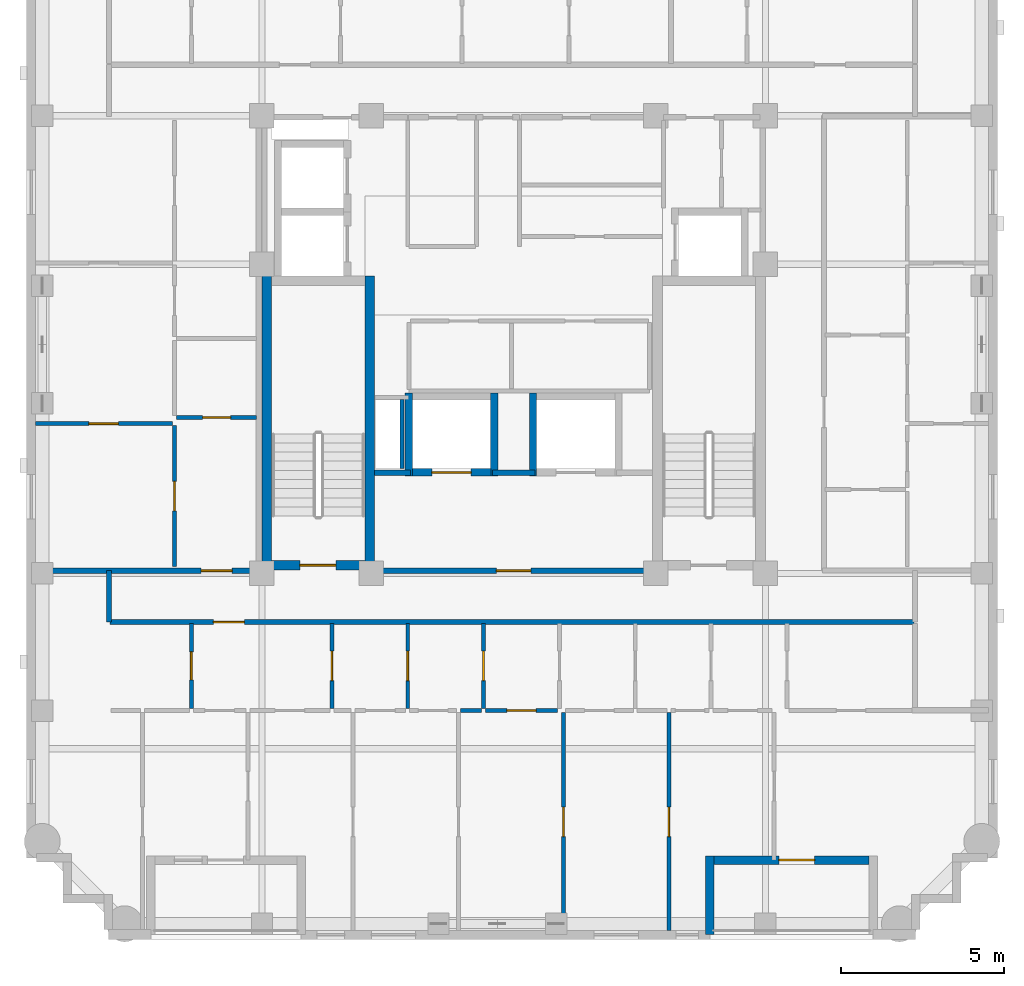
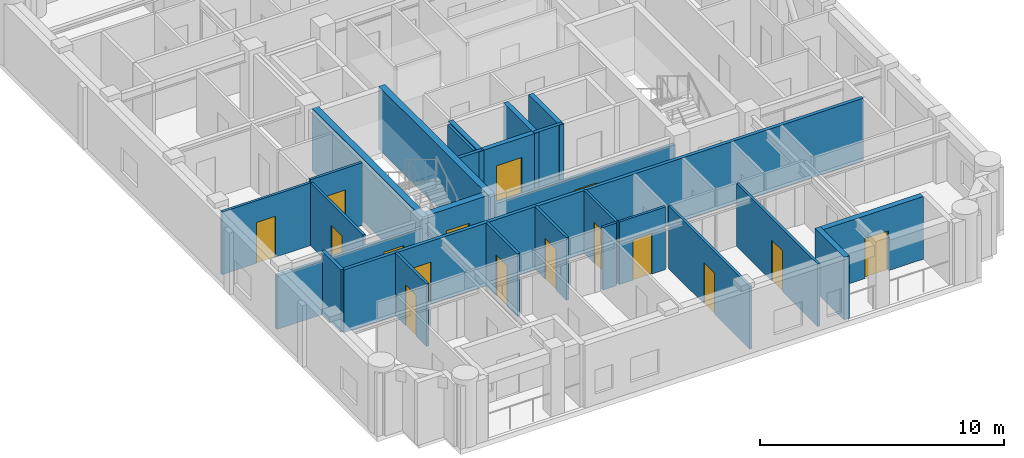
# One storey, part 3 of 11: 27 walls, 16 doors, 16 openings.
"""IFC4 building model written with IfcOpenShell, lengths in metres."""

from ifc_helpers import new_model, si_unit, derived_unit, direction, frame, frame_2d, origin, place, context, subcontext, project, spatial, rectangle, extrude, material, layer, layer_set, type_object, element, fill, save


model = new_model("IFC4")

# Units and contexts
model_context = context("Model", 3, precision=1e-05, world=origin(), true_north=direction((0.0, 1.0)))
body_context = subcontext(model_context, "Body", "Model", "MODEL_VIEW")
ifc_project = project(units=[si_unit("LENGTHUNIT", "METRE"), si_unit("AREAUNIT", "SQUARE_METRE"), si_unit("VOLUMEUNIT", "CUBIC_METRE"), si_unit("PLANEANGLEUNIT", "RADIAN"), si_unit("MASSUNIT", "GRAM", prefix="KILO"), derived_unit("THERMALTRANSMITTANCEUNIT", [(si_unit("MASSUNIT", "GRAM", prefix="KILO"), 1), (si_unit("TIMEUNIT", "SECOND"), -3), (si_unit("THERMODYNAMICTEMPERATUREUNIT", "KELVIN"), -1)])], contexts=[model_context])

# Site, building, storey
site_placement = place(None, origin())
site = spatial("IfcSite", under=ifc_project, at=site_placement, CompositionType="ELEMENT")
building_placement = place(site_placement, origin())
building = spatial("IfcBuilding", under=site, at=building_placement, Name="Korrvale Station Residences", CompositionType="ELEMENT")
storey_placement = place(building_placement, frame((0.0, 0.0, 230.89990234375)))
storey = spatial("IfcBuildingStorey", under=building, at=storey_placement, Name="L67", CompositionType="ELEMENT", Elevation=230.89990234375)

# Walls
ifc_material_1 = material(Name="Concrete C50/60", Category="concrete")
ifc_layer_1 = layer(ifc_material_1, 0.300048828125, Name="Concrete C50/60")
ifc_layer_set_1 = layer_set([ifc_layer_1], Name="Concrete C50/60")
wall_type_1 = type_object("IfcWallType", Name="WAL-CORE-300-C50", PredefinedType="SHEAR", material=ifc_layer_set_1)
for number, where, z_axis, x_axis, name in (
    (1, (17.949951171875, 15.10009765625, 0.0), (0.0, 0.0, 1.0), (0.0, 1.0, 0.0), "L67 ST-1 Core Shear Wall West"),
    (2, (21.10009765625, 15.10009765625, 0.0), (0.0, 0.0, 1.0), (0.0, 1.0, 0.0), "L67 ST-1 Core Shear Wall East"),
):
    element("IfcWall", number, at=place(storey_placement, frame(where, z_axis=z_axis, x_axis=x_axis)), inside=storey, type_object=wall_type_1, Name=name, PredefinedType="SHEAR", context=body_context, shape_type="SweptSolid", body=[
        extrude(rectangle(XDim=9.0, YDim=0.300048828125, at=frame_2d((4.5, 0.0))), origin(), (0.0, 0.0, 1.0), 3.14013671875),
    ])

# Wall, opening, door
wall_1_placement = place(storey_placement, frame((18.10009765625, 15.25, 0.0), z_axis=(0.0, 0.0, 1.0), x_axis=(1.0, 0.0, 0.0)))
wall_1 = element("IfcWall", 3, at=wall_1_placement, inside=storey, type_object=wall_type_1, Name="L67 ST-1 Core Shear Wall South", PredefinedType="SHEAR", context=body_context, shape_type="SweptSolid", body=[
    extrude(rectangle(XDim=2.849853515625, YDim=0.300048828125, at=frame_2d((1.4248046875, 0.0))), origin(), (0.0, 0.0, 1.0), 3.14013671875),
])
opening_1_placement = place(wall_1_placement, frame((0.860107421875, 0.0, 0.0)))
opening_1 = element("IfcOpeningElement", 4, at=opening_1_placement, cuts=wall_1, Name="Opening SD-1100", PredefinedType="OPENING", context=body_context, shape_type="SweptSolid", body=[
    extrude(rectangle(XDim=1.10009765625, YDim=2.050048828125, at=frame_2d((0.550048828125, 1.02490234375))), frame((0.0, 0.16015625, 0.0), z_axis=(0.0, -1.0, 0.0), x_axis=(1.0, 0.0, 0.0)), (0.0, 0.0, 1.0), 0.320068359375),
])
ifc_material_2 = material(Name="Hollow-metal fire-rated stair door with closer", Category="steel")
door_type_1 = type_object("IfcDoorType", Name="DR-STAIR-1100", OperationType="NOTDEFINED", PredefinedType="DOOR", material=ifc_material_2)
door_1_placement = place(opening_1_placement, origin())
door_1 = element("IfcDoor", 5, at=door_1_placement, inside=storey, type_object=door_type_1, Name="L67 ST-1 Exit Stair Door", OperationType="SINGLE_SWING_LEFT", OverallHeight=2.050048828125, OverallWidth=1.10009765625, PredefinedType="DOOR", context=body_context, shape_type="SweptSolid", body=[
    extrude(rectangle(XDim=1.10009765625, YDim=2.050048828125, at=frame_2d((0.550048828125, 1.02490234375))), frame((0.0, 0.02490234375, 0.0), z_axis=(0.0, -1.0, 0.0), x_axis=(1.0, 0.0, 0.0)), (0.0, 0.0, 1.0), 0.050048828125),
])
fill(opening_1, door_1)

ifc_material_3 = material(Name="Precast concrete C45/55", Category="concrete")
ifc_layer_2 = layer(ifc_material_3, 0.260009765625, Name="Precast concrete C45/55")
ifc_layer_set_2 = layer_set([ifc_layer_2], Name="Precast concrete C45/55")
wall_type_2 = type_object("IfcWallType", Name="WAL-EXT-LOG260", PredefinedType="SOLIDWALL", material=ifc_layer_set_2)
wall_2_placement = place(storey_placement, frame((36.365966796875, 6.22998046875, 0.0), z_axis=(0.0, 0.0, 1.0), x_axis=(-1.0, 0.0, 0.0)))
wall_2 = element("IfcWall", 6, at=wall_2_placement, inside=storey, type_object=wall_type_2, Name="L67 Recessed Loggia Wall BAL-L67-S2-B", PredefinedType="SOLIDWALL", context=body_context, shape_type="SweptSolid", body=[
    extrude(rectangle(XDim=4.73193359375, YDim=0.260009765625, at=frame_2d((2.365966796875, 0.0))), origin(), (0.0, 0.0, 1.0), 3.14013671875),
])
opening_2_placement = place(wall_2_placement, frame((1.656005859375, 0.0, 0.0)))
opening_2 = element("IfcOpeningElement", 7, at=opening_2_placement, cuts=wall_2, Name="Opening BD-01", PredefinedType="OPENING", context=body_context, shape_type="SweptSolid", body=[
    extrude(rectangle(XDim=1.10009765625, YDim=2.0, at=frame_2d((0.550048828125, 1.0))), frame((0.0, 0.14013671875, 0.0), z_axis=(0.0, -1.0, 0.0), x_axis=(1.0, 0.0, 0.0)), (0.0, 0.0, 1.0), 0.280029296875),
])
ifc_material_4 = material(Name="Exterior thermally broken aluminium glazed balcony door", Category="aluminium")
door_type_2 = type_object("IfcDoorType", Name="DR-EXT-BAL", OperationType="NOTDEFINED", PredefinedType="DOOR", material=ifc_material_4)
door_2_placement = place(opening_2_placement, origin())
door_2 = element("IfcDoor", 8, at=door_2_placement, inside=storey, type_object=door_type_2, Name="L67 Loggia Balcony Door BAL-L67-S2", OperationType="SINGLE_SWING_LEFT", OverallHeight=2.0, OverallWidth=1.10009765625, PredefinedType="DOOR", context=body_context, shape_type="SweptSolid", body=[
    extrude(rectangle(XDim=1.10009765625, YDim=2.0, at=frame_2d((0.550048828125, 1.0))), frame((0.0, 0.02490234375, 0.0), z_axis=(0.0, -1.0, 0.0), x_axis=(1.0, 0.0, 0.0)), (0.0, 0.0, 1.0), 0.050048828125),
])
fill(opening_2, door_2)

# Walls
wall_3_placement = place(storey_placement, frame((31.5, 6.360107421875, 0.0), z_axis=(0.0, 0.0, 1.0), x_axis=(0.0, -1.0, 0.0)))
element("IfcWall", 9, at=wall_3_placement, inside=storey, type_object=wall_type_2, Name="L67 Recessed Loggia Wall BAL-L67-S2-R", PredefinedType="SOLIDWALL", context=body_context, shape_type="SweptSolid", body=[
    extrude(rectangle(XDim=2.400146484375, YDim=0.260009765625, at=frame_2d((1.2001953125, 0.0))), origin(), (0.0, 0.0, 1.0), 3.14013671875),
])
ifc_material_5 = material(Name="Acoustic steel-stud gypsum board partition", Category="steel")
ifc_layer_3 = layer(ifc_material_5, 0.1201171875, Name="Acoustic steel-stud gypsum board partition")
ifc_layer_set_3 = layer_set([ifc_layer_3], Name="Acoustic steel-stud gypsum board partition")
wall_type_3 = type_object("IfcWallType", Name="WAL-PART-125", PredefinedType="PARTITIONING", material=ifc_layer_set_3)
wall_4_placement = place(storey_placement, frame((22.080078125, 18.199951171875, 0.0), z_axis=(0.0, 0.0, 1.0), x_axis=(0.0, 1.0, 0.0)))
element("IfcWall", 10, at=wall_4_placement, inside=storey, type_object=wall_type_3, Name="L67 Core Partition CW-RSWT", PredefinedType="PARTITIONING", context=body_context, shape_type="SweptSolid", body=[
    extrude(rectangle(XDim=2.1201171875, YDim=0.1201171875, at=frame_2d((1.06005859375, 0.0))), origin(), (0.0, 0.0, 1.0), 3.14013671875),
])

# Wall, opening, door
wall_5_placement = place(storey_placement, frame((15.639892578125, 10.8701171875, 0.0), z_axis=(0.0, 0.0, 1.0), x_axis=(0.0, 1.0, 0.0)))
wall_5 = element("IfcWall", 11, at=wall_5_placement, inside=storey, type_object=wall_type_3, Name="L67 Suite Partition U01-V01", PredefinedType="PARTITIONING", context=body_context, shape_type="SweptSolid", body=[
    extrude(rectangle(XDim=2.599853515625, YDim=0.1201171875, at=frame_2d((1.2998046875, 0.0))), origin(), (0.0, 0.0, 1.0), 3.14013671875),
])
opening_3_placement = place(wall_5_placement, frame((0.8701171875, 0.0, 0.0)))
opening_3 = element("IfcOpeningElement", 12, at=opening_3_placement, cuts=wall_5, Name="Opening DB-860", PredefinedType="OPENING", context=body_context, shape_type="SweptSolid", body=[
    extrude(rectangle(XDim=0.860107421875, YDim=2.050048828125, at=frame_2d((0.43017578125, 1.02490234375))), frame((0.0, 0.070068359375, 0.0), z_axis=(0.0, -1.0, 0.0), x_axis=(1.0, 0.0, 0.0)), (0.0, 0.0, 1.0), 0.14013671875),
])
ifc_material_6 = material(Name="Moisture-resistant solid-core bathroom door", Category="timber")
door_type_3 = type_object("IfcDoorType", Name="DR-BATH-860", OperationType="NOTDEFINED", PredefinedType="DOOR", material=ifc_material_6)
door_3_placement = place(opening_3_placement, origin())
door_3 = element("IfcDoor", 13, at=door_3_placement, inside=storey, type_object=door_type_3, Name="L67 Studio Apartment L67-U01 Bathroom Door", OperationType="SINGLE_SWING_RIGHT", OverallHeight=2.050048828125, OverallWidth=0.860107421875, PredefinedType="DOOR", context=body_context, shape_type="SweptSolid", body=[
    extrude(rectangle(XDim=0.860107421875, YDim=2.050048828125, at=frame_2d((0.43017578125, 1.02490234375))), frame((0.0, 0.02490234375, 0.0), z_axis=(0.0, -1.0, 0.0), x_axis=(1.0, 0.0, 0.0)), (0.0, 0.0, 1.0), 0.050048828125),
])
fill(opening_3, door_3)

wall_6_placement = place(storey_placement, frame((19.93994140625, 10.8701171875, 0.0), z_axis=(0.0, 0.0, 1.0), x_axis=(0.0, 1.0, 0.0)))
wall_6 = element("IfcWall", 14, at=wall_6_placement, inside=storey, type_object=wall_type_3, Name="L67 Suite Partition U01-V12", PredefinedType="PARTITIONING", context=body_context, shape_type="SweptSolid", body=[
    extrude(rectangle(XDim=2.599853515625, YDim=0.1201171875, at=frame_2d((1.2998046875, 0.0))), origin(), (0.0, 0.0, 1.0), 3.14013671875),
])
opening_4_placement = place(wall_6_placement, frame((0.85009765625, 0.0, 0.0)))
opening_4 = element("IfcOpeningElement", 15, at=opening_4_placement, cuts=wall_6, Name="Opening DI-900", PredefinedType="OPENING", context=body_context, shape_type="SweptSolid", body=[
    extrude(rectangle(XDim=0.89990234375, YDim=2.050048828125, at=frame_2d((0.449951171875, 1.02490234375))), frame((0.0, 0.070068359375, 0.0), z_axis=(0.0, -1.0, 0.0), x_axis=(1.0, 0.0, 0.0)), (0.0, 0.0, 1.0), 0.14013671875),
])
ifc_material_7 = material(Name="Painted solid-core timber interior room door", Category="wood")
door_type_4 = type_object("IfcDoorType", Name="DR-INT-900", OperationType="NOTDEFINED", PredefinedType="DOOR", material=ifc_material_7)
door_4_placement = place(opening_4_placement, origin())
door_4 = element("IfcDoor", 16, at=door_4_placement, inside=storey, type_object=door_type_4, Name="L67 Studio Apartment L67-U01 Kitchen Door", OperationType="SINGLE_SWING_LEFT", OverallHeight=2.050048828125, OverallWidth=0.89990234375, PredefinedType="DOOR", context=body_context, shape_type="SweptSolid", body=[
    extrude(rectangle(XDim=0.89990234375, YDim=2.050048828125, at=frame_2d((0.449951171875, 1.02490234375))), frame((0.0, 0.02490234375, 0.0), z_axis=(0.0, -1.0, 0.0), x_axis=(1.0, 0.0, 0.0)), (0.0, 0.0, 1.0), 0.050048828125),
])
fill(opening_4, door_4)

wall_7_placement = place(storey_placement, frame((22.260009765625, 10.8701171875, 0.0), z_axis=(0.0, 0.0, 1.0), x_axis=(0.0, 1.0, 0.0)))
wall_7 = element("IfcWall", 17, at=wall_7_placement, inside=storey, type_object=wall_type_3, Name="L67 Suite Partition U01-V23", PredefinedType="PARTITIONING", context=body_context, shape_type="SweptSolid", body=[
    extrude(rectangle(XDim=2.599853515625, YDim=0.1201171875, at=frame_2d((1.2998046875, 0.0))), origin(), (0.0, 0.0, 1.0), 3.14013671875),
])
opening_5_placement = place(wall_7_placement, frame((0.85009765625, 0.0, 0.0)))
opening_5 = element("IfcOpeningElement", 18, at=opening_5_placement, cuts=wall_7, Name="Opening DI-900", PredefinedType="OPENING", context=body_context, shape_type="SweptSolid", body=[
    extrude(rectangle(XDim=0.89990234375, YDim=2.050048828125, at=frame_2d((0.449951171875, 1.02490234375))), frame((0.0, 0.070068359375, 0.0), z_axis=(0.0, -1.0, 0.0), x_axis=(1.0, 0.0, 0.0)), (0.0, 0.0, 1.0), 0.14013671875),
])
door_5_placement = place(opening_5_placement, origin())
door_5 = element("IfcDoor", 19, at=door_5_placement, inside=storey, type_object=door_type_4, Name="L67 Studio Apartment L67-U01 Wardrobe Storage Room Door", OperationType="SINGLE_SWING_RIGHT", OverallHeight=2.050048828125, OverallWidth=0.89990234375, PredefinedType="DOOR", context=body_context, shape_type="SweptSolid", body=[
    extrude(rectangle(XDim=0.89990234375, YDim=2.050048828125, at=frame_2d((0.449951171875, 1.02490234375))), frame((0.0, 0.02490234375, 0.0), z_axis=(0.0, -1.0, 0.0), x_axis=(1.0, 0.0, 0.0)), (0.0, 0.0, 1.0), 0.050048828125),
])
fill(opening_5, door_5)

wall_8_placement = place(storey_placement, frame((24.580078125, 10.8701171875, 0.0), z_axis=(0.0, 0.0, 1.0), x_axis=(0.0, 1.0, 0.0)))
wall_8 = element("IfcWall", 20, at=wall_8_placement, inside=storey, type_object=wall_type_3, Name="L67 Suite Partition U01-V34", PredefinedType="PARTITIONING", context=body_context, shape_type="SweptSolid", body=[
    extrude(rectangle(XDim=2.599853515625, YDim=0.1201171875, at=frame_2d((1.2998046875, 0.0))), origin(), (0.0, 0.0, 1.0), 3.14013671875),
])
opening_6_placement = place(wall_8_placement, frame((0.85009765625, 0.0, 0.0)))
opening_6 = element("IfcOpeningElement", 21, at=opening_6_placement, cuts=wall_8, Name="Opening DI-900", PredefinedType="OPENING", context=body_context, shape_type="SweptSolid", body=[
    extrude(rectangle(XDim=0.89990234375, YDim=2.050048828125, at=frame_2d((0.449951171875, 1.02490234375))), frame((0.0, 0.070068359375, 0.0), z_axis=(0.0, -1.0, 0.0), x_axis=(1.0, 0.0, 0.0)), (0.0, 0.0, 1.0), 0.14013671875),
])
door_6_placement = place(opening_6_placement, origin())
door_6 = element("IfcDoor", 22, at=door_6_placement, inside=storey, type_object=door_type_4, Name="L67 Studio Apartment L67-U01 Wardrobe Storage Room Door", OperationType="SINGLE_SWING_RIGHT", OverallHeight=2.050048828125, OverallWidth=0.89990234375, PredefinedType="DOOR", context=body_context, shape_type="SweptSolid", body=[
    extrude(rectangle(XDim=0.89990234375, YDim=2.050048828125, at=frame_2d((0.449951171875, 1.02490234375))), frame((0.0, 0.02490234375, 0.0), z_axis=(0.0, -1.0, 0.0), x_axis=(1.0, 0.0, 0.0)), (0.0, 0.0, 1.0), 0.050048828125),
])
fill(opening_6, door_6)

# Wall
wall_9_placement = place(storey_placement, frame((23.8701171875, 10.81005859375, 0.0), z_axis=(0.0, 0.0, 1.0), x_axis=(1.0, 0.0, 0.0)))
element("IfcWall", 23, at=wall_9_placement, inside=storey, type_object=wall_type_3, Name="L67 Suite Partition U01-H313", PredefinedType="PARTITIONING", context=body_context, shape_type="SweptSolid", body=[
    extrude(rectangle(XDim=0.64990234375, YDim=0.1201171875, at=frame_2d((0.324951171875, 0.0))), origin(), (0.0, 0.0, 1.0), 3.14013671875),
])

# Wall, opening, door
wall_10_placement = place(storey_placement, frame((24.639892578125, 10.81005859375, 0.0), z_axis=(0.0, 0.0, 1.0), x_axis=(1.0, 0.0, 0.0)))
wall_10 = element("IfcWall", 24, at=wall_10_placement, inside=storey, type_object=wall_type_3, Name="L67 Suite Partition U01-H413", PredefinedType="PARTITIONING", context=body_context, shape_type="SweptSolid", body=[
    extrude(rectangle(XDim=2.2001953125, YDim=0.1201171875, at=frame_2d((1.10009765625, 0.0))), origin(), (0.0, 0.0, 1.0), 3.14013671875),
])
opening_7_placement = place(wall_10_placement, frame((0.64990234375, 0.0, 0.0)))
opening_7 = element("IfcOpeningElement", 25, at=opening_7_placement, cuts=wall_10, Name="Opening DI-900", PredefinedType="OPENING", context=body_context, shape_type="SweptSolid", body=[
    extrude(rectangle(XDim=0.89990234375, YDim=2.050048828125, at=frame_2d((0.449951171875, 1.02490234375))), frame((0.0, 0.070068359375, 0.0), z_axis=(0.0, -1.0, 0.0), x_axis=(1.0, 0.0, 0.0)), (0.0, 0.0, 1.0), 0.14013671875),
])
door_7_placement = place(opening_7_placement, origin())
door_7 = element("IfcDoor", 26, at=door_7_placement, inside=storey, type_object=door_type_4, Name="L67 Studio Apartment L67-U01 Wardrobe Storage Room Door", OperationType="SINGLE_SWING_LEFT", OverallHeight=2.050048828125, OverallWidth=0.89990234375, PredefinedType="DOOR", context=body_context, shape_type="SweptSolid", body=[
    extrude(rectangle(XDim=0.89990234375, YDim=2.050048828125, at=frame_2d((0.449951171875, 1.02490234375))), frame((0.0, 0.02490234375, 0.0), z_axis=(0.0, -1.0, 0.0), x_axis=(1.0, 0.0, 0.0)), (0.0, 0.0, 1.0), 0.050048828125),
])
fill(opening_7, door_7)

wall_11_placement = place(storey_placement, frame((27.030029296875, 4.080078125, 0.0), z_axis=(0.0, 0.0, 1.0), x_axis=(0.0, 1.0, 0.0)))
wall_11 = element("IfcWall", 27, at=wall_11_placement, inside=storey, type_object=wall_type_3, Name="L67 Suite Partition U01-V1314", PredefinedType="PARTITIONING", context=body_context, shape_type="SweptSolid", body=[
    extrude(rectangle(XDim=6.669921875, YDim=0.1201171875, at=frame_2d((3.3349609375, 0.0))), origin(), (0.0, 0.0, 1.0), 3.14013671875),
])
opening_8_placement = place(wall_11_placement, frame((2.8701171875, 0.0, 0.0)))
opening_8 = element("IfcOpeningElement", 28, at=opening_8_placement, cuts=wall_11, Name="Opening DI-900", PredefinedType="OPENING", context=body_context, shape_type="SweptSolid", body=[
    extrude(rectangle(XDim=0.89990234375, YDim=2.050048828125, at=frame_2d((0.449951171875, 1.02490234375))), frame((0.0, 0.070068359375, 0.0), z_axis=(0.0, -1.0, 0.0), x_axis=(1.0, 0.0, 0.0)), (0.0, 0.0, 1.0), 0.14013671875),
])
door_8_placement = place(opening_8_placement, origin())
door_8 = element("IfcDoor", 29, at=door_8_placement, inside=storey, type_object=door_type_4, Name="L67 Studio Apartment L67-U01 Walk-In Wardrobe Door", OperationType="SINGLE_SWING_LEFT", OverallHeight=2.050048828125, OverallWidth=0.89990234375, PredefinedType="DOOR", context=body_context, shape_type="SweptSolid", body=[
    extrude(rectangle(XDim=0.89990234375, YDim=2.050048828125, at=frame_2d((0.449951171875, 1.02490234375))), frame((0.0, 0.02490234375, 0.0), z_axis=(0.0, -1.0, 0.0), x_axis=(1.0, 0.0, 0.0)), (0.0, 0.0, 1.0), 0.050048828125),
])
fill(opening_8, door_8)

wall_12_placement = place(storey_placement, frame((30.25, 4.080078125, 0.0), z_axis=(0.0, 0.0, 1.0), x_axis=(0.0, 1.0, 0.0)))
wall_12 = element("IfcWall", 30, at=wall_12_placement, inside=storey, type_object=wall_type_3, Name="L67 Suite Partition U01-V1415", PredefinedType="PARTITIONING", context=body_context, shape_type="SweptSolid", body=[
    extrude(rectangle(XDim=6.669921875, YDim=0.1201171875, at=frame_2d((3.3349609375, 0.0))), origin(), (0.0, 0.0, 1.0), 3.14013671875),
])
opening_9_placement = place(wall_12_placement, frame((2.8701171875, 0.0, 0.0)))
opening_9 = element("IfcOpeningElement", 31, at=opening_9_placement, cuts=wall_12, Name="Opening DI-900", PredefinedType="OPENING", context=body_context, shape_type="SweptSolid", body=[
    extrude(rectangle(XDim=0.89990234375, YDim=2.050048828125, at=frame_2d((0.449951171875, 1.02490234375))), frame((0.0, 0.070068359375, 0.0), z_axis=(0.0, -1.0, 0.0), x_axis=(1.0, 0.0, 0.0)), (0.0, 0.0, 1.0), 0.14013671875),
])
door_9_placement = place(opening_9_placement, origin())
door_9 = element("IfcDoor", 32, at=door_9_placement, inside=storey, type_object=door_type_4, Name="L67 Studio Apartment L67-U01 Formal Dining Room Door", OperationType="SINGLE_SWING_RIGHT", OverallHeight=2.050048828125, OverallWidth=0.89990234375, PredefinedType="DOOR", context=body_context, shape_type="SweptSolid", body=[
    extrude(rectangle(XDim=0.89990234375, YDim=2.050048828125, at=frame_2d((0.449951171875, 1.02490234375))), frame((0.0, 0.02490234375, 0.0), z_axis=(0.0, -1.0, 0.0), x_axis=(1.0, 0.0, 0.0)), (0.0, 0.0, 1.0), 0.050048828125),
])
fill(opening_9, door_9)

wall_13_placement = place(storey_placement, frame((15.18994140625, 19.77001953125, 0.0), z_axis=(0.0, 0.0, 1.0), x_axis=(1.0, 0.0, 0.0)))
wall_13 = element("IfcWall", 33, at=wall_13_placement, inside=storey, type_object=wall_type_3, Name="L67 Suite Partition U04-H12", PredefinedType="PARTITIONING", context=body_context, shape_type="SweptSolid", body=[
    extrude(rectangle(XDim=2.449951171875, YDim=0.1201171875, at=frame_2d((1.22509765625, 0.0))), origin(), (0.0, 0.0, 1.0), 3.14013671875),
])
opening_10_placement = place(wall_13_placement, frame((0.794921875, 0.0, 0.0)))
opening_10 = element("IfcOpeningElement", 34, at=opening_10_placement, cuts=wall_13, Name="Opening DB-860", PredefinedType="OPENING", context=body_context, shape_type="SweptSolid", body=[
    extrude(rectangle(XDim=0.860107421875, YDim=2.050048828125, at=frame_2d((0.43017578125, 1.02490234375))), frame((0.0, 0.070068359375, 0.0), z_axis=(0.0, -1.0, 0.0), x_axis=(1.0, 0.0, 0.0)), (0.0, 0.0, 1.0), 0.14013671875),
])
door_10_placement = place(opening_10_placement, origin())
door_10 = element("IfcDoor", 35, at=door_10_placement, inside=storey, type_object=door_type_3, Name="L67 Apartment 2BR L67-U04 Bathroom Door", OperationType="SINGLE_SWING_RIGHT", OverallHeight=2.050048828125, OverallWidth=0.860107421875, PredefinedType="DOOR", context=body_context, shape_type="SweptSolid", body=[
    extrude(rectangle(XDim=0.860107421875, YDim=2.050048828125, at=frame_2d((0.43017578125, 1.02490234375))), frame((0.0, 0.02490234375, 0.0), z_axis=(0.0, -1.0, 0.0), x_axis=(1.0, 0.0, 0.0)), (0.0, 0.0, 1.0), 0.050048828125),
])
fill(opening_10, door_10)

wall_14_placement = place(storey_placement, frame((15.1298828125, 15.2099609375, 0.0), z_axis=(0.0, 0.0, 1.0), x_axis=(0.0, 1.0, 0.0)))
wall_14 = element("IfcWall", 36, at=wall_14_placement, inside=storey, type_object=wall_type_3, Name="L67 Suite Partition U04-V23", PredefinedType="PARTITIONING", context=body_context, shape_type="SweptSolid", body=[
    extrude(rectangle(XDim=4.30810546875, YDim=0.1201171875, at=frame_2d((2.154052734375, 0.0))), origin(), (0.0, 0.0, 1.0), 3.14013671875),
])
opening_11_placement = place(wall_14_placement, frame((1.7041015625, 0.0, 0.0)))
opening_11 = element("IfcOpeningElement", 37, at=opening_11_placement, cuts=wall_14, Name="Opening DI-900", PredefinedType="OPENING", context=body_context, shape_type="SweptSolid", body=[
    extrude(rectangle(XDim=0.89990234375, YDim=2.050048828125, at=frame_2d((0.449951171875, 1.02490234375))), frame((0.0, 0.070068359375, 0.0), z_axis=(0.0, -1.0, 0.0), x_axis=(1.0, 0.0, 0.0)), (0.0, 0.0, 1.0), 0.14013671875),
])
door_11_placement = place(opening_11_placement, origin())
door_11 = element("IfcDoor", 38, at=door_11_placement, inside=storey, type_object=door_type_4, Name="L67 Apartment 2BR L67-U04 Kitchen Door", OperationType="SINGLE_SWING_LEFT", OverallHeight=2.050048828125, OverallWidth=0.89990234375, PredefinedType="DOOR", context=body_context, shape_type="SweptSolid", body=[
    extrude(rectangle(XDim=0.89990234375, YDim=2.050048828125, at=frame_2d((0.449951171875, 1.02490234375))), frame((0.0, 0.02490234375, 0.0), z_axis=(0.0, -1.0, 0.0), x_axis=(1.0, 0.0, 0.0)), (0.0, 0.0, 1.0), 0.050048828125),
])
fill(opening_11, door_11)

wall_15_placement = place(storey_placement, frame((10.8798828125, 19.577880859375, 0.0), z_axis=(0.0, 0.0, 1.0), x_axis=(1.0, 0.0, 0.0)))
wall_15 = element("IfcWall", 39, at=wall_15_placement, inside=storey, type_object=wall_type_3, Name="L67 Suite Partition U04-H34", PredefinedType="PARTITIONING", context=body_context, shape_type="SweptSolid", body=[
    extrude(rectangle(XDim=4.190185546875, YDim=0.1201171875, at=frame_2d((2.09521484375, 0.0))), origin(), (0.0, 0.0, 1.0), 3.14013671875),
])
opening_12_placement = place(wall_15_placement, frame((1.6298828125, 0.0, 0.0)))
opening_12 = element("IfcOpeningElement", 40, at=opening_12_placement, cuts=wall_15, Name="Opening DI-900", PredefinedType="OPENING", context=body_context, shape_type="SweptSolid", body=[
    extrude(rectangle(XDim=0.89990234375, YDim=2.050048828125, at=frame_2d((0.449951171875, 1.02490234375))), frame((0.0, 0.070068359375, 0.0), z_axis=(0.0, -1.0, 0.0), x_axis=(1.0, 0.0, 0.0)), (0.0, 0.0, 1.0), 0.14013671875),
])
door_12_placement = place(opening_12_placement, origin())
door_12 = element("IfcDoor", 41, at=door_12_placement, inside=storey, type_object=door_type_4, Name="L67 Apartment 2BR L67-U04 Bedroom 1 Door", OperationType="SINGLE_SWING_RIGHT", OverallHeight=2.050048828125, OverallWidth=0.89990234375, PredefinedType="DOOR", context=body_context, shape_type="SweptSolid", body=[
    extrude(rectangle(XDim=0.89990234375, YDim=2.050048828125, at=frame_2d((0.449951171875, 1.02490234375))), frame((0.0, 0.02490234375, 0.0), z_axis=(0.0, -1.0, 0.0), x_axis=(1.0, 0.0, 0.0)), (0.0, 0.0, 1.0), 0.050048828125),
])
fill(opening_12, door_12)

ifc_material_8 = material(Name="Fire-rated twin-stud gypsum and mineral wool shaftwall assembly", Category="gypsum")
ifc_layer_4 = layer(ifc_material_8, 0.159912109375, Name="Fire-rated twin-stud gypsum and mineral wool shaftwall assembly")
ifc_layer_set_4 = layer_set([ifc_layer_4], Name="Fire-rated twin-stud gypsum and mineral wool shaftwall assembly")
wall_type_4 = type_object("IfcWallType", Name="WAL-PART-200", PredefinedType="PARTITIONING", material=ifc_layer_set_4)
wall_16_placement = place(storey_placement, frame((21.25, 15.080078125, 0.0), z_axis=(0.0, 0.0, 1.0), x_axis=(1.0, 0.0, 0.0)))
wall_16 = element("IfcWall", 42, at=wall_16_placement, inside=storey, type_object=wall_type_4, Name="L67 Core Partition CW-FFL-S", PredefinedType="PARTITIONING", context=body_context, shape_type="SweptSolid", body=[
    extrude(rectangle(XDim=8.5, YDim=0.159912109375, at=frame_2d((4.25, 0.0))), origin(), (0.0, 0.0, 1.0), 2.668212890625),
])
opening_13_placement = place(wall_16_placement, frame((3.72509765625, 0.0, 0.0)))
opening_13 = element("IfcOpeningElement", 43, at=opening_13_placement, cuts=wall_16, Name="Opening FD-1050", PredefinedType="OPENING", context=body_context, shape_type="SweptSolid", body=[
    extrude(rectangle(XDim=1.050048828125, YDim=2.050048828125, at=frame_2d((0.52490234375, 1.02490234375))), frame((0.0, 0.08984375, 0.0), z_axis=(0.0, -1.0, 0.0), x_axis=(1.0, 0.0, 0.0)), (0.0, 0.0, 1.0), 0.179931640625),
])
ifc_material_9 = material(Name="Fire-rated mineral-core timber lobby door", Category="wood")
door_type_5 = type_object("IfcDoorType", Name="DR-CORE-1050", OperationType="NOTDEFINED", PredefinedType="DOOR", material=ifc_material_9)
door_13_placement = place(opening_13_placement, origin())
door_13 = element("IfcDoor", 44, at=door_13_placement, inside=storey, type_object=door_type_5, Name="L67 Firefighting Lobby Entry Door", OperationType="SINGLE_SWING_RIGHT", OverallHeight=2.050048828125, OverallWidth=1.050048828125, PredefinedType="DOOR", context=body_context, shape_type="SweptSolid", body=[
    extrude(rectangle(XDim=1.050048828125, YDim=2.050048828125, at=frame_2d((0.52490234375, 1.02490234375))), frame((0.0, 0.02490234375, 0.0), z_axis=(0.0, -1.0, 0.0), x_axis=(1.0, 0.0, 0.0)), (0.0, 0.0, 1.0), 0.050048828125),
])
fill(opening_13, door_13)

# Walls
wall_17_placement = place(storey_placement, frame((21.25, 18.080078125, 0.0), z_axis=(0.0, 0.0, 1.0), x_axis=(1.0, 0.0, 0.0)))
element("IfcWall", 45, at=wall_17_placement, inside=storey, type_object=wall_type_4, Name="L67 Core Partition CW-FFL-N1", PredefinedType="PARTITIONING", context=body_context, shape_type="SweptSolid", body=[
    extrude(rectangle(XDim=1.10009765625, YDim=0.159912109375, at=frame_2d((0.550048828125, 0.0))), origin(), (0.0, 0.0, 1.0), 3.14013671875),
])
wall_18_placement = place(storey_placement, frame((24.85009765625, 18.080078125, 0.0), z_axis=(0.0, 0.0, 1.0), x_axis=(1.0, 0.0, 0.0)))
element("IfcWall", 46, at=wall_18_placement, inside=storey, type_object=wall_type_4, Name="L67 Core Partition CW-FFL-N2", PredefinedType="PARTITIONING", context=body_context, shape_type="SweptSolid", body=[
    extrude(rectangle(XDim=1.2998046875, YDim=0.159912109375, at=frame_2d((0.64990234375, 0.0))), origin(), (0.0, 0.0, 1.0), 3.14013671875),
])
wall_19_placement = place(storey_placement, frame((13.1201171875, 13.510009765625, 0.0), z_axis=(0.0, 0.0, 1.0), x_axis=(0.0, 1.0, 0.0)))
element("IfcWall", 47, at=wall_19_placement, inside=storey, type_object=wall_type_4, Name="L67 Corridor South West Cap", PredefinedType="PARTITIONING", context=body_context, shape_type="SweptSolid", body=[
    extrude(rectangle(XDim=1.580078125, YDim=0.159912109375, at=frame_2d((0.7900390625, 0.0))), origin(), (0.0, 0.0, 1.0), 3.14013671875),
])

# Wall, opening, door
wall_20_placement = place(storey_placement, frame((10.8798828125, 15.080078125, 0.0), z_axis=(0.0, 0.0, 1.0), x_axis=(1.0, 0.0, 0.0)))
wall_20 = element("IfcWall", 48, at=wall_20_placement, inside=storey, type_object=wall_type_4, Name="L67 Side Suite South Entry Wall U04", PredefinedType="PARTITIONING", context=body_context, shape_type="SweptSolid", body=[
    extrude(rectangle(XDim=6.880126953125, YDim=0.159912109375, at=frame_2d((3.43994140625, 0.0))), origin(), (0.0, 0.0, 1.0), 2.668212890625),
])
opening_14_placement = place(wall_20_placement, frame((5.06005859375, 0.0, 0.0)))
opening_14 = element("IfcOpeningElement", 49, at=opening_14_placement, cuts=wall_20, Name="Opening UD-950", PredefinedType="OPENING", context=body_context, shape_type="SweptSolid", body=[
    extrude(rectangle(XDim=0.949951171875, YDim=2.10009765625, at=frame_2d((0.47509765625, 1.050048828125))), frame((0.0, 0.08984375, 0.0), z_axis=(0.0, -1.0, 0.0), x_axis=(1.0, 0.0, 0.0)), (0.0, 0.0, 1.0), 0.179931640625),
])
ifc_material_10 = material(Name="Solid-core acoustic oak apartment entrance door", Category="timber")
door_type_6 = type_object("IfcDoorType", Name="DR-UNIT-950", OperationType="NOTDEFINED", PredefinedType="DOOR", material=ifc_material_10)
door_14_placement = place(opening_14_placement, origin())
door_14 = element("IfcDoor", 50, at=door_14_placement, inside=storey, type_object=door_type_6, Name="L67 Apartment L67-U04 Entrance Door", OperationType="SINGLE_SWING_LEFT", OverallHeight=2.10009765625, OverallWidth=0.949951171875, PredefinedType="DOOR", context=body_context, shape_type="SweptSolid", body=[
    extrude(rectangle(XDim=0.949951171875, YDim=2.10009765625, at=frame_2d((0.47509765625, 1.050048828125))), frame((0.0, 0.02490234375, 0.0), z_axis=(0.0, -1.0, 0.0), x_axis=(1.0, 0.0, 0.0)), (0.0, 0.0, 1.0), 0.050048828125),
])
fill(opening_14, door_14)

wall_21_placement = place(storey_placement, frame((13.14990234375, 13.510009765625, 0.0), z_axis=(0.0, 0.0, 1.0), x_axis=(1.0, 0.0, 0.0)))
wall_21 = element("IfcWall", 51, at=wall_21_placement, inside=storey, type_object=wall_type_4, Name="L67 Rated Corridor Wall S", PredefinedType="PARTITIONING", context=body_context, shape_type="SweptSolid", body=[
    extrude(rectangle(XDim=24.60009765625, YDim=0.159912109375, at=frame_2d((12.300048828125, 0.0))), origin(), (0.0, 0.0, 1.0), 3.14013671875),
])
opening_15_placement = place(wall_21_placement, frame((3.1650390625, 0.0, 0.0)))
opening_15 = element("IfcOpeningElement", 52, at=opening_15_placement, cuts=wall_21, Name="Opening UD-950", PredefinedType="OPENING", context=body_context, shape_type="SweptSolid", body=[
    extrude(rectangle(XDim=0.949951171875, YDim=2.10009765625, at=frame_2d((0.47509765625, 1.050048828125))), frame((0.0, 0.08984375, 0.0), z_axis=(0.0, -1.0, 0.0), x_axis=(1.0, 0.0, 0.0)), (0.0, 0.0, 1.0), 0.179931640625),
])
door_15_placement = place(opening_15_placement, origin())
door_15 = element("IfcDoor", 53, at=door_15_placement, inside=storey, type_object=door_type_6, Name="L67 Apartment L67-U01 Entrance Door", OperationType="SINGLE_SWING_RIGHT", OverallHeight=2.10009765625, OverallWidth=0.949951171875, PredefinedType="DOOR", context=body_context, shape_type="SweptSolid", body=[
    extrude(rectangle(XDim=0.949951171875, YDim=2.10009765625, at=frame_2d((0.47509765625, 1.050048828125))), frame((0.0, 0.02490234375, 0.0), z_axis=(0.0, -1.0, 0.0), x_axis=(1.0, 0.0, 0.0)), (0.0, 0.0, 1.0), 0.050048828125),
])
fill(opening_15, door_15)

ifc_layer_5 = layer(ifc_material_1, 0.219970703125, Name="Concrete C50/60")
ifc_layer_set_5 = layer_set([ifc_layer_5], Name="Concrete C50/60")
wall_type_5 = type_object("IfcWallType", Name="WAL-SHAFT-220-C50", PredefinedType="SHEAR", material=ifc_layer_set_5)
wall_22_placement = place(storey_placement, frame((22.39990234375, 18.090087890625, 0.0), z_axis=(0.0, 0.0, 1.0), x_axis=(1.0, 0.0, 0.0)))
wall_22 = element("IfcWall", 54, at=wall_22_placement, inside=storey, type_object=wall_type_5, Name="L67 Elevator FFL-1 Hoistway Wall South", PredefinedType="SHEAR", context=body_context, shape_type="SweptSolid", body=[
    extrude(rectangle(XDim=2.400146484375, YDim=0.219970703125, at=frame_2d((1.2001953125, 0.0))), origin(), (0.0, 0.0, 1.0), 3.14013671875),
])
opening_16_placement = place(wall_22_placement, frame((0.60009765625, 0.0, 0.0)))
opening_16 = element("IfcOpeningElement", 55, at=opening_16_placement, cuts=wall_22, Name="Opening LD-FF1200", PredefinedType="OPENING", context=body_context, shape_type="SweptSolid", body=[
    extrude(rectangle(XDim=1.199951171875, YDim=2.14990234375, at=frame_2d((0.60009765625, 1.074951171875))), frame((0.0, 0.1201171875, 0.0), z_axis=(0.0, -1.0, 0.0), x_axis=(1.0, 0.0, 0.0)), (0.0, 0.0, 1.0), 0.239990234375),
])
ifc_material_11 = material(Name="Stainless-steel firefighter elevator landing sliding door", Category="steel")
door_type_7 = type_object("IfcDoorType", Name="DR-LIFT-FF1200", OperationType="SLIDING_TO_LEFT", PredefinedType="DOOR", material=ifc_material_11)
door_16_placement = place(opening_16_placement, origin())
door_16 = element("IfcDoor", 56, at=door_16_placement, inside=storey, type_object=door_type_7, Name="L67 Elevator FFL-1 Sliding Landing Door", OperationType="SLIDING_TO_LEFT", OverallHeight=2.14990234375, OverallWidth=1.199951171875, PredefinedType="DOOR", context=body_context, shape_type="SweptSolid", body=[
    extrude(rectangle(XDim=1.199951171875, YDim=2.14990234375, at=frame_2d((0.60009765625, 1.074951171875))), frame((0.0, 0.02490234375, 0.0), z_axis=(0.0, -1.0, 0.0), x_axis=(1.0, 0.0, 0.0)), (0.0, 0.0, 1.0), 0.050048828125),
])
fill(opening_16, door_16)

# Walls
for number, where, z_axis, x_axis, name in (
    (57, (22.2900390625, 17.97998046875, 0.0), (0.0, 0.0, 1.0), (0.0, 1.0, 0.0), "L67 Elevator FFL-1 Hoistway Wall West"),
    (58, (24.909912109375, 17.97998046875, 0.0), (0.0, 0.0, 1.0), (0.0, 1.0, 0.0), "L67 Elevator FFL-1 Hoistway Wall East"),
    (59, (26.090087890625, 17.97998046875, 0.0), (0.0, 0.0, 1.0), (0.0, 1.0, 0.0), "L67 Elevator FFL-2 Hoistway Wall West"),
):
    element("IfcWall", number, at=place(storey_placement, frame(where, z_axis=z_axis, x_axis=x_axis)), inside=storey, type_object=wall_type_5, Name=name, PredefinedType="SHEAR", context=body_context, shape_type="SweptSolid", body=[
        extrude(rectangle(XDim=2.5400390625, YDim=0.219970703125, at=frame_2d((1.27001953125, 0.0))), origin(), (0.0, 0.0, 1.0), 3.14013671875),
    ])

save(model, "model.ifc")
